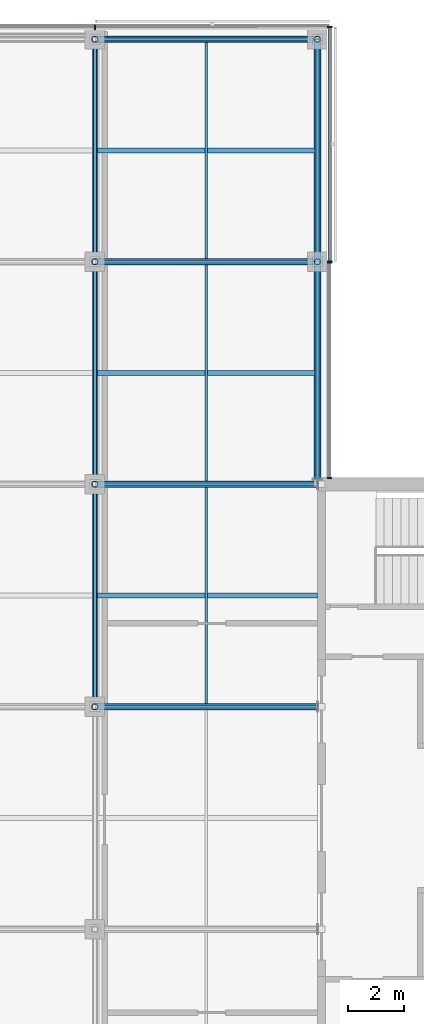
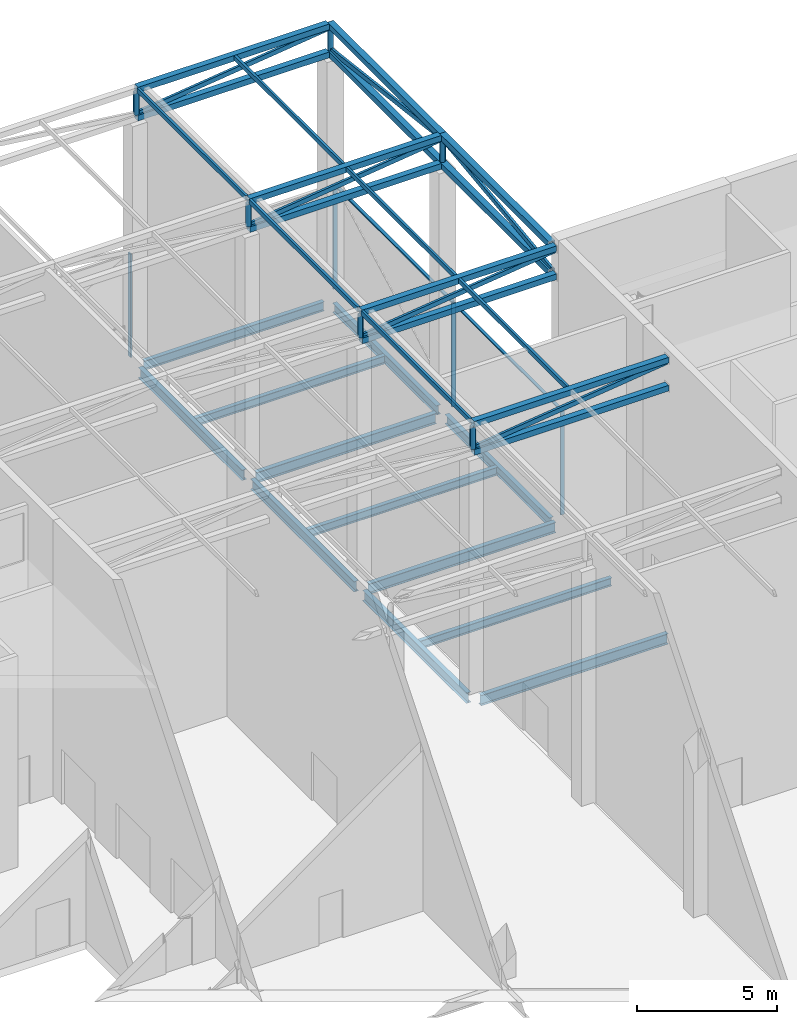
# One storey, part 9 of 23: 37 members, 12 beams, 3 elements without a shape of their own.
"""IFC4 building model written with IfcOpenShell, lengths in metres."""

from ifc_helpers import new_model, si_unit, direction, frame, origin, origin_2d, place, context, subcontext, project, spatial, rectangle, hollow_rectangle, hollow_circle, i_section, extrude, material, material_profile, profile_set, type_object, element, aggregate, save


model = new_model("IFC4")

# Units and contexts
model_context = context("Model", 3, precision=1e-05, world=origin(), true_north=direction((0.0, 1.0)))
body_context = subcontext(model_context, "Body", "Model", "MODEL_VIEW")
ifc_project = project(units=[si_unit("LENGTHUNIT", "METRE"), si_unit("AREAUNIT", "SQUARE_METRE"), si_unit("VOLUMEUNIT", "CUBIC_METRE"), si_unit("PLANEANGLEUNIT", "RADIAN"), si_unit("MASSUNIT", "GRAM", prefix="KILO")], contexts=[model_context])

# Site, building, storey
site_placement = place(None, origin())
site = spatial("IfcSite", under=ifc_project, at=site_placement, CompositionType="ELEMENT")
building_placement = place(site_placement, origin())
building = spatial("IfcBuilding", under=site, at=building_placement, Name="Crosswind Convention Tower", CompositionType="ELEMENT")
storey_placement = place(building_placement, frame((0.0, 0.0, 349.10009765625)))
storey = spatial("IfcBuildingStorey", under=building, at=storey_placement, Name="L76", CompositionType="ELEMENT", Elevation=349.10009765625)

# Beams
ifc_material_1 = material(Name="Steel S355", Category="steel")
ifc_material_profile_1 = material_profile(ifc_material_1, i_section(OverallWidth=0.177490234375, OverallDepth=0.402587890625, WebThickness=0.007568359375, FlangeThickness=0.010986328125, FilletRadius=0.01025390625, at=origin_2d()), Name="UB 406x178x54")
ifc_profile_set_1 = profile_set([ifc_material_profile_1], Name="Steel S355")
beam_type_1 = type_object("IfcBeamType", Name="Edge beam UB 406x178x54", PredefinedType="SPANDREL", material=ifc_profile_set_1)
beam_1_placement = place(storey_placement, frame((129.300048828125, 128.0, -0.551513671875), z_axis=(1.0, 0.0, 0.0), x_axis=(0.0, 1.0, 0.0)))
element("IfcBeam", 1, at=beam_1_placement, inside=storey, type_object=beam_type_1, Name="B14 L76 edge beam 10", PredefinedType="SPANDREL", context=body_context, shape_type="SweptSolid", body=[
    extrude(i_section(OverallWidth=0.177490234375, OverallDepth=0.402587890625, WebThickness=0.007568359375, FlangeThickness=0.010986328125, FilletRadius=0.01025390625, at=origin_2d()), origin(), (0.0, 0.0, 1.0), 7.39990234375),
])
beam_2_placement = place(storey_placement, frame((137.0, 112.25, -0.551513671875), z_axis=(0.0, 1.0, 0.0), x_axis=(-1.0, 0.0, 0.0)))
element("IfcBeam", 2, at=beam_2_placement, inside=storey, type_object=beam_type_1, Name="B14 L76 edge beam 13", PredefinedType="SPANDREL", context=body_context, shape_type="SweptSolid", body=[
    extrude(i_section(OverallWidth=0.177490234375, OverallDepth=0.402587890625, WebThickness=0.007568359375, FlangeThickness=0.010986328125, FilletRadius=0.01025390625, at=origin_2d()), origin(), (0.0, 0.0, 1.0), 7.449951171875),
])
beam_3_placement = place(storey_placement, frame((137.0, 120.300048828125, -0.551513671875), z_axis=(0.0, 1.0, 0.0), x_axis=(-1.0, 0.0, 0.0)))
element("IfcBeam", 3, at=beam_3_placement, inside=storey, type_object=beam_type_1, Name="B14 L76 edge beam 14", PredefinedType="SPANDREL", context=body_context, shape_type="SweptSolid", body=[
    extrude(i_section(OverallWidth=0.177490234375, OverallDepth=0.402587890625, WebThickness=0.007568359375, FlangeThickness=0.010986328125, FilletRadius=0.01025390625, at=origin_2d()), origin(), (0.0, 0.0, 1.0), 7.39990234375),
])
ifc_material_profile_2 = material_profile(ifc_material_1, i_section(OverallWidth=0.18994140625, OverallDepth=0.45361328125, WebThickness=0.008544921875, FlangeThickness=0.0126953125, FilletRadius=0.01025390625, at=origin_2d()), Name="UB 457x191x67")
ifc_profile_set_2 = profile_set([ifc_material_profile_2], Name="Steel S355")
beam_type_2 = type_object("IfcBeamType", Name="Girder UB 457x191x67", PredefinedType="BEAM", material=ifc_profile_set_2)
for number, where, z_axis, x_axis, name in (
    (4, (129.0, 104.300048828125, -0.576904296875), (0.0, 1.0, 0.0), (-1.0, 0.0, 0.0), "B1 L76 girder 20"),
    (5, (129.0, 112.300048828125, -0.576904296875), (0.0, 1.0, 0.0), (-1.0, 0.0, 0.0), "B1 L76 girder 21"),
    (6, (129.0, 120.300048828125, -0.576904296875), (0.0, 1.0, 0.0), (-1.0, 0.0, 0.0), "B1 L76 girder 22"),
    (7, (129.300048828125, 120.0, -0.576904296875), (1.0, 0.0, 0.0), (0.0, 1.0, 0.0), "B1 L76 girder 24"),
):
    element("IfcBeam", number, at=place(storey_placement, frame(where, z_axis=z_axis, x_axis=x_axis)), inside=storey, type_object=beam_type_2, Name=name, PredefinedType="BEAM", context=body_context, shape_type="SweptSolid", body=[
        extrude(i_section(OverallWidth=0.18994140625, OverallDepth=0.45361328125, WebThickness=0.008544921875, FlangeThickness=0.0126953125, FilletRadius=0.01025390625, at=origin_2d()), origin(), (0.0, 0.0, 1.0), 7.39990234375),
    ])
ifc_material_profile_3 = material_profile(ifc_material_1, i_section(OverallWidth=0.18994140625, OverallDepth=0.45361328125, WebThickness=0.008544921875, FlangeThickness=0.0126953125, FilletRadius=0.01025390625, at=origin_2d()), Name="UB 457x191x67")
ifc_profile_set_3 = profile_set([ifc_material_profile_3], Name="Steel S355")
beam_type_3 = type_object("IfcBeamType", Name="Girder at core wall UB 457x191x67", PredefinedType="BEAM", material=ifc_profile_set_3)
for number, where, z_axis, x_axis, name in (
    (8, (129.300048828125, 104.0, -0.576904296875), (1.0, 0.0, 0.0), (0.0, 1.0, 0.0), "B21 L76 girder at core wall 7"),
    (9, (129.300048828125, 112.0, -0.576904296875), (1.0, 0.0, 0.0), (0.0, 1.0, 0.0), "B21 L76 girder at core wall 8"),
):
    element("IfcBeam", number, at=place(storey_placement, frame(where, z_axis=z_axis, x_axis=x_axis)), inside=storey, type_object=beam_type_3, Name=name, PredefinedType="BEAM", context=body_context, shape_type="SweptSolid", body=[
        extrude(i_section(OverallWidth=0.18994140625, OverallDepth=0.45361328125, WebThickness=0.008544921875, FlangeThickness=0.0126953125, FilletRadius=0.01025390625, at=origin_2d()), origin(), (0.0, 0.0, 1.0), 7.699951171875),
    ])

# Curtain wall, members
ifc_material_2 = material(Name="Aluminium unitised curtain wall", Category="aluminium")
curtain_wall_type_1 = type_object("IfcCurtainWallType", Name="CORE END SLOT WALL 160", PredefinedType="USERDEFINED", material=ifc_material_2)
curtain_wall_1_placement = place(storey_placement, origin())
curtain_wall_1 = element("IfcCurtainWall", 10, at=curtain_wall_1_placement, inside=storey, type_object=curtain_wall_type_1, Name="CW6 L76 N-E.1-1 slot", ObjectType="UNITISED", PredefinedType="USERDEFINED")
ifc_material_3 = material(Name="Aluminium mullion", Category="aluminium")
ifc_material_profile_4 = material_profile(ifc_material_3, rectangle(XDim=0.159912109375, YDim=0.050048828125, at=origin_2d()), Name="AL 160X50")
ifc_profile_set_4 = profile_set([ifc_material_profile_4], Name="Aluminium mullion")
member_type_1 = type_object("IfcMemberType", Name="MULLION 50X160", PredefinedType="MULLION", material=ifc_profile_set_4)
member_1_placement = place(storey_placement, frame((137.429931640625, 112.22509765625, -0.35009765625), z_axis=(0.0, 0.0, 1.0), x_axis=(1.0, 0.0, 0.0)))
member_1 = element("IfcMember", 11, at=member_1_placement, type_object=member_type_1, Name="CW6 mullion 1", PredefinedType="MULLION", context=body_context, shape_type="SweptSolid", body=[
    extrude(rectangle(XDim=0.159912109375, YDim=0.050048828125, at=origin_2d()), origin(), (0.0, 0.0, 1.0), 4.5),
])
member_2_placement = place(storey_placement, frame((137.429931640625, 119.97509765625, -0.35009765625), z_axis=(0.0, 0.0, 1.0), x_axis=(1.0, 0.0, 0.0)))
member_2 = element("IfcMember", 12, at=member_2_placement, type_object=member_type_1, Name="CW6 mullion 2", PredefinedType="MULLION", context=body_context, shape_type="SweptSolid", body=[
    extrude(rectangle(XDim=0.159912109375, YDim=0.050048828125, at=origin_2d()), origin(), (0.0, 0.0, 1.0), 4.5),
])

curtain_wall_type_2 = type_object("IfcCurtainWallType", Name="CROWN WINDBREAK WALL 180", PredefinedType="USERDEFINED", material=ifc_material_2)
curtain_wall_2_placement = place(storey_placement, origin())
curtain_wall_2 = element("IfcCurtainWall", 13, at=curtain_wall_2_placement, inside=storey, type_object=curtain_wall_type_2, Name="CW5 L76 N-E 1", ObjectType="UNITISED", PredefinedType="USERDEFINED")
ifc_material_profile_5 = material_profile(ifc_material_3, rectangle(XDim=0.179931640625, YDim=0.06005859375, at=origin_2d()), Name="AL 180X60")
ifc_profile_set_5 = profile_set([ifc_material_profile_5], Name="Aluminium mullion")
member_type_2 = type_object("IfcMemberType", Name="MULLION 60X180", PredefinedType="MULLION", material=ifc_profile_set_5)
member_3_placement = place(storey_placement, frame((137.43994140625, 120.0, -0.35009765625), z_axis=(0.0, 0.0, 1.0), x_axis=(1.0, 0.0, 0.0)))
member_3 = element("IfcMember", 14, at=member_3_placement, type_object=member_type_2, Name="CW5 mullion 1", PredefinedType="MULLION", context=body_context, shape_type="SweptSolid", body=[
    extrude(rectangle(XDim=0.179931640625, YDim=0.06005859375, at=origin_2d()), origin(), (0.0, 0.0, 1.0), 4.489990234375),
])
member_4_placement = place(storey_placement, frame((137.43994140625, 128.43994140625, -0.35009765625), z_axis=(0.0, 0.0, 1.0), x_axis=(1.0, 0.0, 0.0)))
member_4 = element("IfcMember", 15, at=member_4_placement, type_object=member_type_2, Name="CW5 mullion 2", PredefinedType="MULLION", context=body_context, shape_type="SweptSolid", body=[
    extrude(rectangle(XDim=0.179931640625, YDim=0.06005859375, at=origin_2d()), origin(), (0.0, 0.0, 1.0), 4.489990234375),
])

# Curtain wall, member
curtain_wall_3_placement = place(storey_placement, origin())
curtain_wall_3 = element("IfcCurtainWall", 16, at=curtain_wall_3_placement, inside=storey, type_object=curtain_wall_type_2, Name="CW5 L76 N-TIP 1", ObjectType="UNITISED", PredefinedType="USERDEFINED")
member_5_placement = place(storey_placement, frame((129.0, 128.43994140625, -0.35009765625), z_axis=(0.0, 0.0, 1.0), x_axis=(0.0, 1.0, 0.0)))
member_5 = element("IfcMember", 17, at=member_5_placement, type_object=member_type_2, Name="CW5 mullion 2", PredefinedType="MULLION", context=body_context, shape_type="SweptSolid", body=[
    extrude(rectangle(XDim=0.179931640625, YDim=0.06005859375, at=origin_2d()), origin(), (0.0, 0.0, 1.0), 4.489990234375),
])
aggregate(curtain_wall_3, [member_5])

# Members
ifc_material_profile_6 = material_profile(ifc_material_1, hollow_rectangle(XDim=0.10009765625, YDim=0.199951171875, WallThickness=0.010009765625, at=origin_2d()), Name="RHS 200x100x10.0")
ifc_profile_set_6 = profile_set([ifc_material_profile_6], Name="Steel S355")
member_type_3 = type_object("IfcMemberType", Name="Roof purlin RHS 200x100x10.0", PredefinedType="PURLIN", material=ifc_profile_set_6)
for number, where, z_axis, x_axis, name in (
    (18, (129.0, 104.125, 11.599853515625), (0.0, 1.0, 0.0), (-1.0, 0.0, 0.0), "M14 L76 roof purlin 24"),
    (19, (133.0, 104.125, 11.599853515625), (0.0, 1.0, 0.0), (-1.0, 0.0, 0.0), "M14 L76 roof purlin 25"),
    (20, (129.0, 112.125, 11.599853515625), (0.0, 1.0, 0.0), (-1.0, 0.0, 0.0), "M14 L76 roof purlin 29"),
    (21, (133.0, 112.125, 11.599853515625), (0.0, 1.0, 0.0), (-1.0, 0.0, 0.0), "M14 L76 roof purlin 30"),
    (22, (129.0, 120.125, 11.599853515625), (0.0, 1.0, 0.0), (-1.0, 0.0, 0.0), "M14 L76 roof purlin 34"),
    (23, (133.0, 120.125, 11.599853515625), (0.0, 1.0, 0.0), (-1.0, 0.0, 0.0), "M14 L76 roof purlin 35"),
):
    element("IfcMember", number, at=place(storey_placement, frame(where, z_axis=z_axis, x_axis=x_axis)), inside=storey, type_object=member_type_3, Name=name, PredefinedType="PURLIN", context=body_context, shape_type="SweptSolid", body=[
        extrude(hollow_rectangle(XDim=0.10009765625, YDim=0.199951171875, WallThickness=0.010009765625, at=origin_2d()), origin(), (0.0, 0.0, 1.0), 7.75),
    ])
ifc_material_profile_7 = material_profile(ifc_material_1, hollow_rectangle(XDim=0.25, YDim=0.25, WallThickness=0.010009765625, at=origin_2d()), Name="SHS 250x250x10.0")
ifc_profile_set_7 = profile_set([ifc_material_profile_7], Name="Steel S355")
member_type_4 = type_object("IfcMemberType", Name="Roof truss chord SHS 250x250x10.0", PredefinedType="CHORD", material=ifc_profile_set_7)
for number, where, z_axis, x_axis, name in (
    (24, (129.0, 104.0, 10.35498046875), (1.0, 0.0, 0.0), (0.0, 1.0, 0.0), "M11 L76 roof truss 5 bottom chord 3"),
    (25, (129.0, 104.0, 11.574951171875), (1.0, 0.0, 0.0), (0.0, 1.0, 0.0), "M11 L76 roof truss 5 top chord 3"),
    (26, (129.0, 112.0, 10.35498046875), (1.0, 0.0, 0.0), (0.0, 1.0, 0.0), "M11 L76 roof truss 6 bottom chord 3"),
    (27, (129.0, 112.0, 11.574951171875), (1.0, 0.0, 0.0), (0.0, 1.0, 0.0), "M11 L76 roof truss 6 top chord 3"),
):
    element("IfcMember", number, at=place(storey_placement, frame(where, z_axis=z_axis, x_axis=x_axis)), inside=storey, type_object=member_type_4, Name=name, PredefinedType="CHORD", context=body_context, shape_type="SweptSolid", body=[
        extrude(hollow_rectangle(XDim=0.25, YDim=0.25, WallThickness=0.010009765625, at=origin_2d()), origin(), (0.0, 0.0, 1.0), 8.0),
    ])
for number, where, z_axis, x_axis, name in (
    (28, (129.0, 120.0, 10.35498046875), (1.0, 0.0, 0.0), (0.0, 1.0, 0.0), "M11 L76 roof truss 7 bottom chord 3"),
    (29, (129.0, 120.0, 11.574951171875), (1.0, 0.0, 0.0), (0.0, 1.0, 0.0), "M11 L76 roof truss 7 top chord 3"),
    (30, (129.0, 128.0, 10.35498046875), (1.0, 0.0, 0.0), (0.0, 1.0, 0.0), "M11 L76 roof truss 8 bottom chord 3"),
    (31, (129.0, 128.0, 11.574951171875), (1.0, 0.0, 0.0), (0.0, 1.0, 0.0), "M11 L76 roof truss 8 top chord 3"),
):
    element("IfcMember", number, at=place(storey_placement, frame(where, z_axis=z_axis, x_axis=x_axis)), inside=storey, type_object=member_type_4, Name=name, PredefinedType="CHORD", context=body_context, shape_type="SweptSolid", body=[
        extrude(hollow_rectangle(XDim=0.25, YDim=0.25, WallThickness=0.010009765625, at=origin_2d()), origin(), (0.0, 0.0, 1.0), 7.875),
    ])
for number, where, z_axis, x_axis, name in (
    (32, (137.0, 112.199951171875, 10.35498046875), (0.0, 1.0, 0.0), (-1.0, 0.0, 0.0), "M11 L76 roof truss 11 bottom chord 1"),
    (33, (137.0, 112.199951171875, 11.574951171875), (0.0, 1.0, 0.0), (-1.0, 0.0, 0.0), "M11 L76 roof truss 11 top chord 1"),
):
    element("IfcMember", number, at=place(storey_placement, frame(where, z_axis=z_axis, x_axis=x_axis)), inside=storey, type_object=member_type_4, Name=name, PredefinedType="CHORD", context=body_context, shape_type="SweptSolid", body=[
        extrude(hollow_rectangle(XDim=0.25, YDim=0.25, WallThickness=0.010009765625, at=origin_2d()), origin(), (0.0, 0.0, 1.0), 7.800048828125),
    ])
for number, where, z_axis, x_axis, name in (
    (34, (137.0, 120.0, 10.35498046875), (0.0, 1.0, 0.0), (-1.0, 0.0, 0.0), "M11 L76 roof truss 11 bottom chord 2"),
    (35, (137.0, 120.0, 11.574951171875), (0.0, 1.0, 0.0), (-1.0, 0.0, 0.0), "M11 L76 roof truss 11 top chord 2"),
):
    element("IfcMember", number, at=place(storey_placement, frame(where, z_axis=z_axis, x_axis=x_axis)), inside=storey, type_object=member_type_4, Name=name, PredefinedType="CHORD", context=body_context, shape_type="SweptSolid", body=[
        extrude(hollow_rectangle(XDim=0.25, YDim=0.25, WallThickness=0.010009765625, at=origin_2d()), origin(), (0.0, 0.0, 1.0), 8.0),
    ])
ifc_material_profile_8 = material_profile(ifc_material_1, hollow_rectangle(XDim=0.10009765625, YDim=0.199951171875, WallThickness=0.010009765625, at=origin_2d()), Name="RHS 200x100x10.0")
ifc_profile_set_8 = profile_set([ifc_material_profile_8], Name="Steel S355")
member_type_5 = type_object("IfcMemberType", Name="Roof truss diagonal RHS 200x100x10.0", PredefinedType="BRACE", material=ifc_profile_set_8)
for number, where, z_axis, x_axis, name in (
    (36, (129.0, 104.0, 10.47998046875), (0.992729723764, 0.0, 0.120364843522), (0.0, 1.0, 0.0), "M12 L76 roof truss 5 diagonal 3"),
    (37, (129.0, 112.0, 10.47998046875), (0.992729723764, 0.0, 0.120364843522), (0.0, 1.0, 0.0), "M12 L76 roof truss 6 diagonal 3"),
):
    element("IfcMember", number, at=place(storey_placement, frame(where, z_axis=z_axis, x_axis=x_axis)), inside=storey, type_object=member_type_5, Name=name, PredefinedType="BRACE", context=body_context, shape_type="SweptSolid", body=[
        extrude(hollow_rectangle(XDim=0.10009765625, YDim=0.199951171875, WallThickness=0.010009765625, at=origin_2d()), origin(), (0.0, 0.0, 1.0), 8.05859375),
    ])
for number, where, z_axis, x_axis, name in (
    (38, (129.0, 120.0, 10.47998046875), (0.992499700374, 0.0, 0.122247064409), (0.0, 1.0, 0.0), "M12 L76 roof truss 7 diagonal 3"),
    (39, (129.0, 128.0, 10.47998046875), (0.992499700374, 0.0, 0.122247064409), (0.0, 1.0, 0.0), "M12 L76 roof truss 8 diagonal 3"),
):
    element("IfcMember", number, at=place(storey_placement, frame(where, z_axis=z_axis, x_axis=x_axis)), inside=storey, type_object=member_type_5, Name=name, PredefinedType="BRACE", context=body_context, shape_type="SweptSolid", body=[
        extrude(hollow_rectangle(XDim=0.10009765625, YDim=0.199951171875, WallThickness=0.010009765625, at=origin_2d()), origin(), (0.0, 0.0, 1.0), 7.9345703125),
    ])
member_6_placement = place(storey_placement, frame((137.0, 112.199951171875, 10.47998046875), z_axis=(0.0, 0.992356522481, 0.123403939523), x_axis=(-1.0, 0.0, 0.0)))
element("IfcMember", 40, at=member_6_placement, inside=storey, type_object=member_type_5, Name="M12 L76 roof truss 11 diagonal 1", PredefinedType="BRACE", context=body_context, shape_type="SweptSolid", body=[
    extrude(hollow_rectangle(XDim=0.10009765625, YDim=0.199951171875, WallThickness=0.010009765625, at=origin_2d()), origin(), (0.0, 0.0, 1.0), 7.860107421875),
])
member_7_placement = place(storey_placement, frame((137.0, 120.0, 11.449951171875), z_axis=(0.0, 0.992729723764, -0.120364843522), x_axis=(-1.0, 0.0, 0.0)))
element("IfcMember", 41, at=member_7_placement, inside=storey, type_object=member_type_5, Name="M12 L76 roof truss 11 diagonal 2", PredefinedType="BRACE", context=body_context, shape_type="SweptSolid", body=[
    extrude(hollow_rectangle(XDim=0.10009765625, YDim=0.199951171875, WallThickness=0.010009765625, at=origin_2d()), origin(), (0.0, 0.0, 1.0), 8.05859375),
])
ifc_material_profile_9 = material_profile(ifc_material_1, hollow_circle(Radius=0.109619140625, WallThickness=0.010009765625, at=origin_2d()), Name="CHS 219.1x10.0")
ifc_profile_set_9 = profile_set([ifc_material_profile_9], Name="Steel S355")
member_type_6 = type_object("IfcMemberType", Name="Roof truss post CHS 219.1x10.0", PredefinedType="POST", material=ifc_profile_set_9)
for number, where, z_axis, x_axis, name in (
    (42, (129.0, 104.0, 10.47998046875), (0.0, 0.0, 1.0), (1.0, 0.0, 0.0), "M13 L76 roof truss 5 post 2"),
    (43, (129.0, 112.0, 10.47998046875), (0.0, 0.0, 1.0), (1.0, 0.0, 0.0), "M13 L76 roof truss 6 post 2"),
    (44, (129.0, 120.0, 10.47998046875), (0.0, 0.0, 1.0), (1.0, 0.0, 0.0), "M13 L76 roof truss 7 post 2"),
    (45, (129.0, 128.0, 10.47998046875), (0.0, 0.0, 1.0), (1.0, 0.0, 0.0), "M13 L76 roof truss 8 post 2"),
    (46, (137.0, 128.0, 10.47998046875), (0.0, 0.0, 1.0), (1.0, 0.0, 0.0), "M13 L76 roof truss 11 corner post"),
    (47, (137.0, 120.0, 10.47998046875), (0.0, 0.0, 1.0), (1.0, 0.0, 0.0), "M13 L76 roof truss 11 post 1"),
):
    element("IfcMember", number, at=place(storey_placement, frame(where, z_axis=z_axis, x_axis=x_axis)), inside=storey, type_object=member_type_6, Name=name, PredefinedType="POST", context=body_context, shape_type="SweptSolid", body=[
        extrude(hollow_circle(Radius=0.109619140625, WallThickness=0.010009765625, at=origin_2d()), origin(), (0.0, 0.0, 1.0), 0.969970703125),
    ])

# Beams
ifc_material_profile_10 = material_profile(ifc_material_1, i_section(OverallWidth=0.1708984375, OverallDepth=0.35205078125, WebThickness=0.0068359375, FlangeThickness=0.009765625, FilletRadius=0.01025390625, at=origin_2d()), Name="UB 356x171x45")
ifc_profile_set_10 = profile_set([ifc_material_profile_10], Name="Steel S355")
beam_type_4 = type_object("IfcBeamType", Name="Secondary beam UB 356x171x45", PredefinedType="JOIST", material=ifc_profile_set_10)
beam_4_placement = place(storey_placement, frame((129.094970703125, 108.0, -0.526123046875), z_axis=(1.0, 0.0, 0.0), x_axis=(0.0, 1.0, 0.0)))
element("IfcBeam", 48, at=beam_4_placement, inside=storey, type_object=beam_type_4, Name="B7 L76 secondary beam 19", PredefinedType="JOIST", context=body_context, shape_type="SweptSolid", body=[
    extrude(i_section(OverallWidth=0.1708984375, OverallDepth=0.35205078125, WebThickness=0.0068359375, FlangeThickness=0.009765625, FilletRadius=0.01025390625, at=origin_2d()), origin(), (0.0, 0.0, 1.0), 7.905029296875),
])
for number, where, z_axis, x_axis, name in (
    (49, (129.094970703125, 116.0, -0.526123046875), (1.0, 0.0, 0.0), (0.0, 1.0, 0.0), "B7 L76 secondary beam 20"),
    (50, (129.094970703125, 124.0, -0.526123046875), (1.0, 0.0, 0.0), (0.0, 1.0, 0.0), "B7 L76 secondary beam 21"),
):
    element("IfcBeam", number, at=place(storey_placement, frame(where, z_axis=z_axis, x_axis=x_axis)), inside=storey, type_object=beam_type_4, Name=name, PredefinedType="JOIST", context=body_context, shape_type="SweptSolid", body=[
        extrude(i_section(OverallWidth=0.1708984375, OverallDepth=0.35205078125, WebThickness=0.0068359375, FlangeThickness=0.009765625, FilletRadius=0.01025390625, at=origin_2d()), origin(), (0.0, 0.0, 1.0), 7.816162109375),
    ])

# Member
ifc_material_4 = material(Name="Aluminium transom", Category="aluminium")
ifc_material_profile_11 = material_profile(ifc_material_4, rectangle(XDim=0.1201171875, YDim=0.050048828125, at=origin_2d()), Name="AL 120X50")
ifc_profile_set_11 = profile_set([ifc_material_profile_11], Name="Aluminium transom")
member_type_7 = type_object("IfcMemberType", Name="TRANSOM 50X120", PredefinedType="USERDEFINED", material=ifc_profile_set_11)
member_8_placement = place(storey_placement, frame((137.429931640625, 112.25, 4.1748046875), z_axis=(0.0, 1.0, 0.0), x_axis=(-1.0, 0.0, 0.0)))
member_8 = element("IfcMember", 51, at=member_8_placement, type_object=member_type_7, Name="CW6 transom", ObjectType="TRANSOM", PredefinedType="USERDEFINED", context=body_context, shape_type="SweptSolid", body=[
    extrude(rectangle(XDim=0.1201171875, YDim=0.050048828125, at=origin_2d()), origin(), (0.0, 0.0, 1.0), 7.699951171875),
])

aggregate(curtain_wall_1, [member_1, member_2, member_8])

ifc_material_profile_12 = material_profile(ifc_material_4, rectangle(XDim=0.1298828125, YDim=0.06005859375, at=origin_2d()), Name="AL 130X60")
ifc_profile_set_12 = profile_set([ifc_material_profile_12], Name="Aluminium transom")
member_type_8 = type_object("IfcMemberType", Name="TRANSOM 60X130", PredefinedType="USERDEFINED", material=ifc_profile_set_12)
member_9_placement = place(storey_placement, frame((137.43994140625, 120.030029296875, 4.169921875), z_axis=(0.0, 1.0, 0.0), x_axis=(-1.0, 0.0, 0.0)))
member_9 = element("IfcMember", 52, at=member_9_placement, type_object=member_type_8, Name="CW5 transom", ObjectType="TRANSOM", PredefinedType="USERDEFINED", context=body_context, shape_type="SweptSolid", body=[
    extrude(rectangle(XDim=0.1298828125, YDim=0.06005859375, at=origin_2d()), origin(), (0.0, 0.0, 1.0), 8.3798828125),
])

aggregate(curtain_wall_2, [member_3, member_4, member_9])

save(model, "model.ifc")
